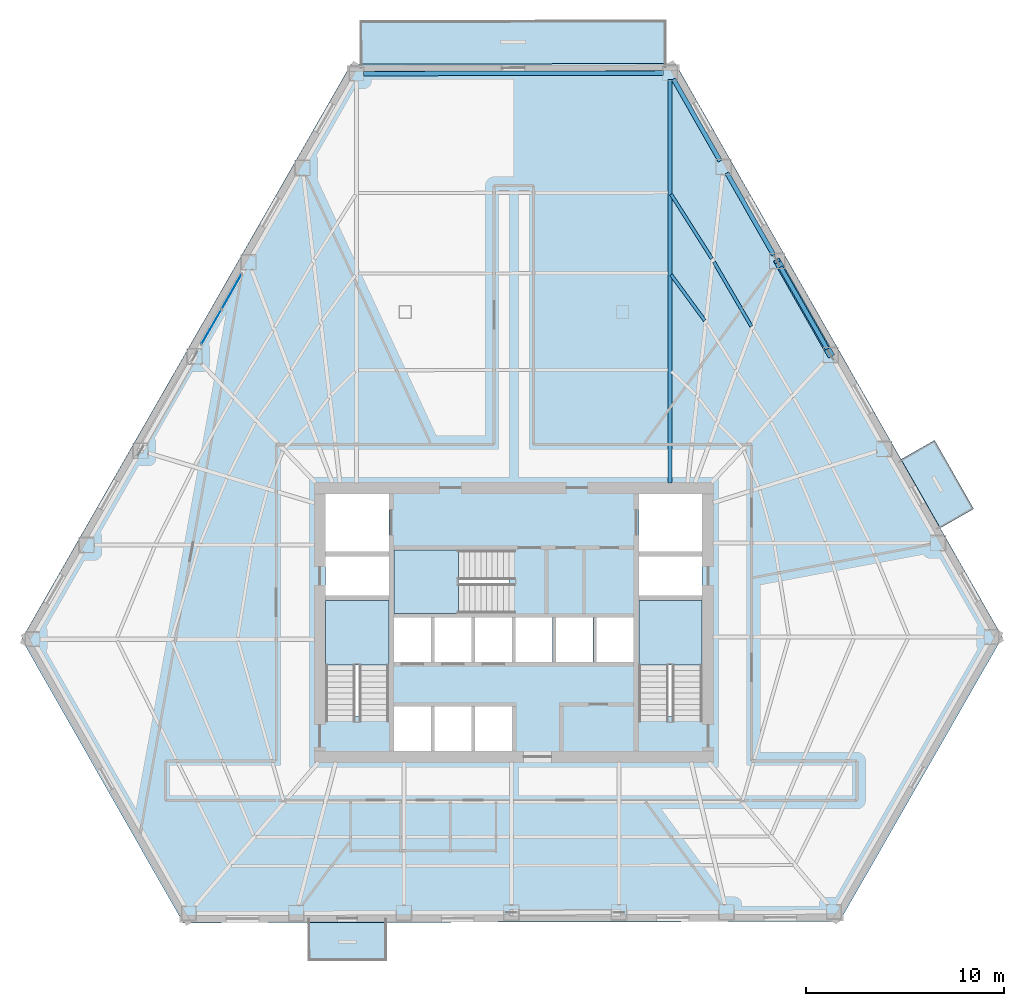
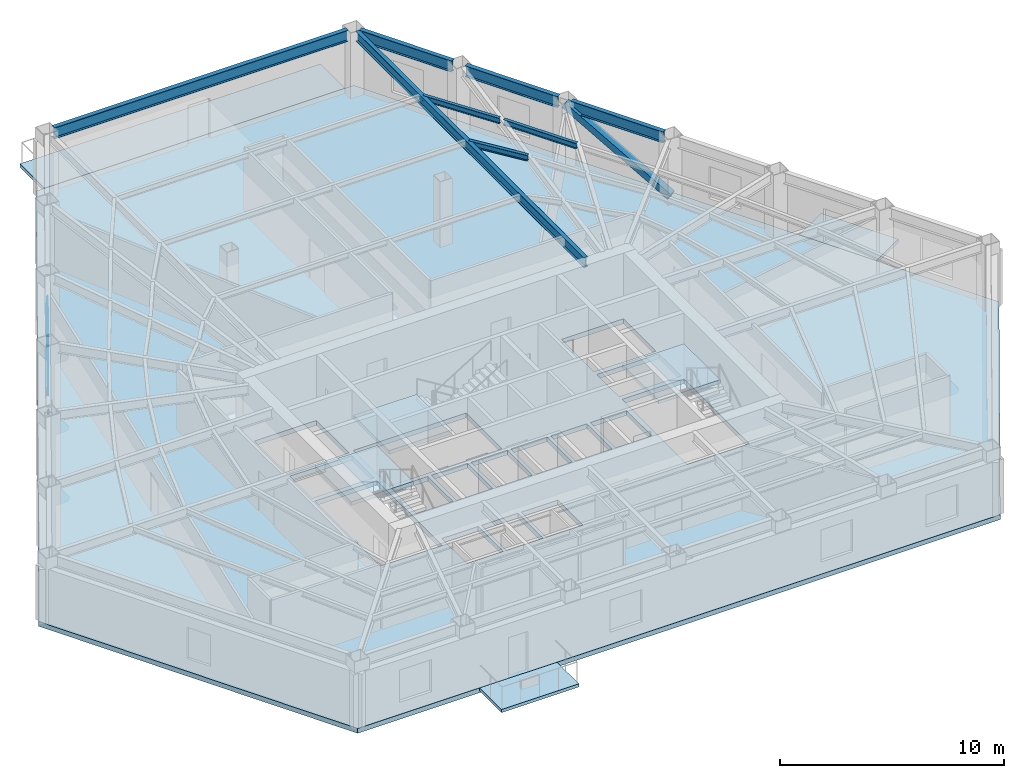
# One storey, part 5 of 14: 8 beams, 7 slabs, 2 plates, 1 member, 4 elements without a shape of their own.
"""IFC4 building model written with IfcOpenShell, lengths in metres."""

import ifcopenshell
import ifcopenshell.guid

model = None  # the IFC model being written
_history = None  # IfcOwnerHistory: only IFC2X3 demands one
_inside = {}  # id of a spatial element -> (the spatial element, [elements in it])
_under = {}  # id of a project, library or spatial element -> (it, [spatial elements below it])
_declared = {}  # id of a project -> (the project, [libraries it declares])
_typed = {}  # id of a type object -> (the type object, [elements of that type])
_made_of = {}  # id of a material, layer set ... -> (it, [elements and type objects made of it])


def new_model(schema):
    """Start an empty IFC model of exactly this schema.

    Asked for "IFC4X3", IfcOpenShell would pick the latest addendum, in which some entities
    have other attributes; the version numbers below select the first issue.
    IFC2X3 requires an IfcOwnerHistory on every rooted entity: one is made here for all.
    """
    global model, _history
    if schema == "IFC4X3":
        model = ifcopenshell.file(schema_version=(4, 3, 0, 0))
    else:
        model = ifcopenshell.file(schema=schema)
    _inside.clear()
    _under.clear()
    _declared.clear()
    _typed.clear()
    _made_of.clear()
    _history = None
    if model.schema == "IFC2X3":
        org = make("IfcOrganization", Name="unknown")
        user = make(
            "IfcPersonAndOrganization",
            ThePerson=make("IfcPerson", FamilyName="unknown"),
            TheOrganization=org,
        )
        app = make(
            "IfcApplication",
            ApplicationDeveloper=org,
            Version="unknown",
            ApplicationFullName="unknown",
            ApplicationIdentifier="unknown",
        )
        _history = make(
            "IfcOwnerHistory",
            OwningUser=user,
            OwningApplication=app,
            ChangeAction="ADDED",
            CreationDate=0,
        )
    return model


def make(cls, **values):
    """One entity of the class cls with the attributes given. An attribute that is None is left unset."""
    return model.create_entity(
        cls, **{name: value for name, value in values.items() if value is not None}
    )


def rooted(cls, **values):
    """An entity with a GlobalId (a new one), such as an element, a storey or a relation."""
    return make(cls, GlobalId=ifcopenshell.guid.new(), OwnerHistory=_history, **values)


def si_unit(unit_type, name, prefix=None):
    """IfcSIUnit, for example si_unit("LENGTHUNIT", "METRE", prefix="MILLI")."""
    return make("IfcSIUnit", UnitType=unit_type, Prefix=prefix, Name=name)


def assignment(units):
    """IfcUnitAssignment: the units of a project."""
    return None if units is None else make("IfcUnitAssignment", Units=units)


def point(xyz):
    """IfcCartesianPoint."""
    return None if xyz is None else make("IfcCartesianPoint", Coordinates=xyz)


def direction(xyz):
    """IfcDirection."""
    return None if xyz is None else make("IfcDirection", DirectionRatios=xyz)


def frame(location, z_axis=None, x_axis=None):
    """IfcAxis2Placement3D, a coordinate frame: its origin and axes. An axis left out is left unset."""
    return make(
        "IfcAxis2Placement3D",
        Location=point(location),
        Axis=direction(z_axis),
        RefDirection=direction(x_axis),
    )


def frame_2d(location, x_axis=None):
    """IfcAxis2Placement2D, a coordinate frame in the plane: its origin and x axis."""
    return make(
        "IfcAxis2Placement2D", Location=point(location), RefDirection=direction(x_axis)
    )


def origin():
    """The frame at (0, 0, 0) with its axes left unset."""
    return frame((0.0, 0.0, 0.0))


def origin_2d():
    """The frame at (0, 0) in the plane with its x axis left unset."""
    return frame_2d((0.0, 0.0))


def place(relative_to, where):
    """IfcLocalPlacement: puts the frame where relative to a parent placement (None: the world)."""
    return make(
        "IfcLocalPlacement", PlacementRelTo=relative_to, RelativePlacement=where
    )


def context(
    kind, dimensions, precision=None, world=None, true_north=None, identifier=None
):
    """IfcGeometricRepresentationContext, for example the 3D "Model" context."""
    return make(
        "IfcGeometricRepresentationContext",
        ContextIdentifier=identifier,
        ContextType=kind,
        CoordinateSpaceDimension=dimensions,
        Precision=precision,
        WorldCoordinateSystem=world,
        TrueNorth=true_north,
    )


def subcontext(parent, identifier, kind, view, scale=None):
    """IfcGeometricRepresentationSubContext, for example "Body" below "Model"."""
    return make(
        "IfcGeometricRepresentationSubContext",
        ContextIdentifier=identifier,
        ContextType=kind,
        ParentContext=parent,
        TargetScale=scale,
        TargetView=view,
    )


def project(units=None, contexts=None):
    """IfcProject with its units and contexts."""
    return rooted(
        "IfcProject",
        Name="project",
        RepresentationContexts=contexts,
        UnitsInContext=assignment(units),
    )


def spatial(cls, under=None, at=None, **own):
    """A site, building, storey or space (cls), placed at a placement, below another one or the project."""
    s = rooted(cls, ObjectPlacement=at, **own)
    if under is not None:
        _under.setdefault(under.id(), (under, []))[1].append(s)
    return s


def polyline(points):
    """IfcPolyline through the points."""
    return make("IfcPolyline", Points=[point(p) for p in points])


def profile(cls, at=None, kind="AREA", **sizes):
    """A parametric profile (cls). Its sizes go by their IFC names, for example OverallWidth=200.0."""
    return make(cls, ProfileType=kind, Position=at, **sizes)


def rectangle(**sizes):
    """IfcRectangleProfileDef."""
    return profile("IfcRectangleProfileDef", **sizes)


def hollow_rectangle(**sizes):
    """IfcRectangleHollowProfileDef."""
    return profile("IfcRectangleHollowProfileDef", **sizes)


def i_section(**sizes):
    """IfcIShapeProfileDef."""
    return profile("IfcIShapeProfileDef", **sizes)


def outline(outer, holes=None, kind="AREA"):
    """IfcArbitraryClosedProfileDef: a profile drawn as a closed curve; with holes, ...WithVoids."""
    if holes is None:
        return make("IfcArbitraryClosedProfileDef", ProfileType=kind, OuterCurve=outer)
    return make(
        "IfcArbitraryProfileDefWithVoids",
        ProfileType=kind,
        OuterCurve=outer,
        InnerCurves=holes,
    )


def extrude(swept, where, along, depth):
    """IfcExtrudedAreaSolid: the profile swept, set in the frame where, extruded along a direction by depth."""
    return make(
        "IfcExtrudedAreaSolid",
        SweptArea=swept,
        Position=where,
        ExtrudedDirection=direction(along),
        Depth=depth,
    )


def shape(context_of_items, identifier, shape_type, items):
    """IfcShapeRepresentation: the items that make up one representation, for example the "Body"."""
    return make(
        "IfcShapeRepresentation",
        ContextOfItems=context_of_items,
        RepresentationIdentifier=identifier,
        RepresentationType=shape_type,
        Items=items,
    )


def material(Name=None, Category=None):
    """IfcMaterial."""
    return make("IfcMaterial", Name=Name, Category=Category)


def layer(
    of_material, thickness, ventilated=None, Name=None, Category=None, Priority=None
):
    """IfcMaterialLayer: one layer of a wall or slab, of a material (None: an air gap)."""
    return make(
        "IfcMaterialLayer",
        Material=of_material,
        LayerThickness=thickness,
        IsVentilated=ventilated,
        Name=Name,
        Category=Category,
        Priority=Priority,
    )


def layer_set(layers, Name=None):
    """IfcMaterialLayerSet."""
    return make("IfcMaterialLayerSet", MaterialLayers=layers, LayerSetName=Name)


def material_profile(
    of_material, cross_section, Name=None, Category=None, Priority=None
):
    """IfcMaterialProfile: a cross section and its material."""
    return make(
        "IfcMaterialProfile",
        Name=Name,
        Material=of_material,
        Profile=cross_section,
        Priority=Priority,
        Category=Category,
    )


def profile_set(profiles, Name=None, composite=None):
    """IfcMaterialProfileSet."""
    return make(
        "IfcMaterialProfileSet",
        Name=Name,
        MaterialProfiles=profiles,
        CompositeProfile=composite,
    )


def made_of(thing, what):
    """Note that an element or type object is made of a material, layer set ...; save() writes the relation."""
    if what is not None:
        _made_of.setdefault(what.id(), (what, []))[1].append(thing)
    return thing


def type_object(cls, material=None, **own):
    """A type object (cls), such as IfcWallType, which elements share."""
    return made_of(rooted(cls, **own), material)


def element(
    cls,
    number,
    at=None,
    inside=None,
    cuts=None,
    type_object=None,
    material=None,
    context=None,
    identifier="Body",
    shape_type=None,
    held_by="IfcProductDefinitionShape",
    body=None,
    shapes=None,
    **own,
):
    """One element of the class cls, such as IfcWall. Its Tag is "e" and its number.

    at: its placement. inside: the storey or other place that contains it. cuts: it is an
    opening in that element (IfcRelVoidsElement). A single representation is given by context,
    identifier, shape_type and body (its items); several are given by shapes. held_by: the class
    of the entity that holds the representations. save() writes the other relations.
    """
    e = rooted(cls, Tag="e%d" % number, ObjectPlacement=at, **own)
    if body is not None:
        shapes = [shape(context, identifier, shape_type, body)]
    if shapes is not None:
        e.Representation = make(held_by, Representations=shapes)
    if inside is not None:
        _inside.setdefault(inside.id(), (inside, []))[1].append(e)
    if cuts is not None:
        rooted(
            "IfcRelVoidsElement", RelatingBuildingElement=cuts, RelatedOpeningElement=e
        )
    if type_object is not None:
        _typed.setdefault(type_object.id(), (type_object, []))[1].append(e)
    return made_of(e, material)


def aggregate(whole, parts):
    """IfcRelAggregates: a whole, such as a stair, and the parts it consists of."""
    return rooted("IfcRelAggregates", RelatingObject=whole, RelatedObjects=parts)


def save(model, path):
    """Write the relations noted so far, then the file.

    IfcRelAggregates (storeys below a building ...), IfcRelContainedInSpatialStructure (elements
    in a storey), IfcRelDefinesByType, IfcRelAssociatesMaterial and IfcRelDeclares: one each for
    every whole, place, type object, material and project.
    """
    for whole, parts in _under.values():
        aggregate(whole, parts)
    for where, things in _inside.values():
        rooted(
            "IfcRelContainedInSpatialStructure",
            RelatedElements=things,
            RelatingStructure=where,
        )
    for kind, things in _typed.values():
        rooted("IfcRelDefinesByType", RelatedObjects=things, RelatingType=kind)
    for what, things in _made_of.values():
        rooted("IfcRelAssociatesMaterial", RelatedObjects=things, RelatingMaterial=what)
    for by, libraries in _declared.values():
        rooted("IfcRelDeclares", RelatingContext=by, RelatedDefinitions=libraries)
    model.write(path)


model = new_model("IFC4")

# Units and contexts
model_context = context("Model", 3, precision=1e-05, world=origin(), true_north=direction((0.0, 1.0)))
body_context = subcontext(model_context, "Body", "Model", "MODEL_VIEW")
ifc_project = project(units=[si_unit("LENGTHUNIT", "METRE"), si_unit("AREAUNIT", "SQUARE_METRE"), si_unit("VOLUMEUNIT", "CUBIC_METRE"), si_unit("PLANEANGLEUNIT", "RADIAN"), si_unit("MASSUNIT", "GRAM", prefix="KILO")], contexts=[model_context])

# Site, building, storey
site_placement = place(None, origin())
site = spatial("IfcSite", under=ifc_project, at=site_placement, CompositionType="ELEMENT")
building_placement = place(site_placement, origin())
building = spatial("IfcBuilding", under=site, at=building_placement, Name="Kavelnor Concourse Tower", CompositionType="ELEMENT")
storey_placement = place(building_placement, frame((0.0, 0.0, 17.550048828125)))
storey = spatial("IfcBuildingStorey", under=building, at=storey_placement, Name="L04", CompositionType="ELEMENT", Elevation=17.550048828125)

# Beams
ifc_material_1 = material(Name="Steel Grade 350", Category="steel")
ifc_material_profile_1 = material_profile(ifc_material_1, i_section(OverallWidth=0.166015625, OverallDepth=0.306884765625, WebThickness=0.006591796875, FlangeThickness=0.01171875, at=origin_2d()), Name="310UB46")
ifc_profile_set_1 = profile_set([ifc_material_profile_1], Name="Steel Grade 350")
beam_type_1 = type_object("IfcBeamType", Name="BM-JOIST-310", PredefinedType="JOIST", material=ifc_profile_set_1)
beam_1_placement = place(storey_placement, frame((50.01220703125, 31.077392578125, 3.4365234375), z_axis=(-0.502959633328, 0.864309902316, 0.0), x_axis=(-0.864309902316, -0.502959633328, 0.0)))
element("IfcBeam", 1, at=beam_1_placement, inside=storey, type_object=beam_type_1, Name="L04 Secondary Composite Joist 13-3", PredefinedType="JOIST", context=body_context, shape_type="SweptSolid", body=[
    extrude(i_section(OverallWidth=0.166015625, OverallDepth=0.306884765625, WebThickness=0.006591796875, FlangeThickness=0.01171875, at=origin_2d()), origin(), (0.0, 0.0, 1.0), 3.765380859375),
])
beam_2_placement = place(storey_placement, frame((47.654296875, 31.369384765625, 3.4365234375), z_axis=(-0.591997539562, 0.805939770177, 0.0), x_axis=(-0.805939770177, -0.591997539562, 0.0)))
element("IfcBeam", 2, at=beam_2_placement, inside=storey, type_object=beam_type_1, Name="L04 Secondary Composite Joist 14-2", PredefinedType="JOIST", context=body_context, shape_type="SweptSolid", body=[
    extrude(i_section(OverallWidth=0.166015625, OverallDepth=0.306884765625, WebThickness=0.006591796875, FlangeThickness=0.01171875, at=origin_2d()), origin(), (0.0, 0.0, 1.0), 2.87109375),
])
beam_3_placement = place(storey_placement, frame((48.01611328125, 34.500244140625, 3.4365234375), z_axis=(-0.535777587726, 0.844359151363, 0.0), x_axis=(-0.844359151363, -0.535777587726, 0.0)))
element("IfcBeam", 3, at=beam_3_placement, inside=storey, type_object=beam_type_1, Name="L04 Secondary Composite Joist 14-3", PredefinedType="JOIST", context=body_context, shape_type="SweptSolid", body=[
    extrude(i_section(OverallWidth=0.166015625, OverallDepth=0.306884765625, WebThickness=0.006591796875, FlangeThickness=0.01171875, at=origin_2d()), origin(), (0.0, 0.0, 1.0), 3.857666015625),
])
ifc_material_profile_2 = material_profile(ifc_material_1, i_section(OverallWidth=0.208984375, OverallDepth=0.528076171875, WebThickness=0.009521484375, FlangeThickness=0.01318359375, at=origin_2d()), Name="530UB82")
ifc_profile_set_2 = profile_set([ifc_material_profile_2], Name="Steel Grade 350")
beam_type_2 = type_object("IfcBeamType", Name="BM-PRIMARY-530", PredefinedType="BEAM", material=ifc_profile_set_2)
beam_4_placement = place(storey_placement, frame((45.896484375, 23.159912109375, 3.325927734375), z_axis=(0.0, 1.0, 0.0), x_axis=(-1.0, 0.0, 0.0)))
element("IfcBeam", 4, at=beam_4_placement, inside=storey, type_object=beam_type_2, Name="L04 Primary Floor Girder F2-B6", PredefinedType="BEAM", context=body_context, shape_type="SweptSolid", body=[
    extrude(i_section(OverallWidth=0.208984375, OverallDepth=0.528076171875, WebThickness=0.009521484375, FlangeThickness=0.01318359375, at=origin_2d()), origin(), (0.0, 0.0, 1.0), 20.389892578125),
])
ifc_material_profile_3 = material_profile(ifc_material_1, i_section(OverallWidth=0.22900390625, OverallDepth=0.612060546875, WebThickness=0.011962890625, FlangeThickness=0.01953125, at=origin_2d()), Name="610UB125")
ifc_profile_set_3 = profile_set([ifc_material_profile_3], Name="Steel Grade 350")
beam_type_3 = type_object("IfcBeamType", Name="BM-SPANDREL-Z1", PredefinedType="SPANDREL", material=ifc_profile_set_3)
beam_5_placement = place(storey_placement, frame((45.551513671875, 43.88916015625, 3.283935546875), z_axis=(-0.999997638201, -0.002173382937, 0.0), x_axis=(0.002173382937, -0.999997638201, 0.0)))
element("IfcBeam", 5, at=beam_5_placement, inside=storey, type_object=beam_type_3, Name="L04 Chamfer Facet Spandrel Beam C0", PredefinedType="SPANDREL", context=body_context, shape_type="SweptSolid", body=[
    extrude(i_section(OverallWidth=0.22900390625, OverallDepth=0.612060546875, WebThickness=0.011962890625, FlangeThickness=0.01953125, at=origin_2d()), origin(), (0.0, 0.0, 1.0), 15.164794921875),
])
for number, where, z_axis, x_axis, name in (
    (6, (53.85546875, 29.92431640625, 3.283935546875), (-0.495143715855, 0.868811084557, 0.0), (-0.868811084557, -0.495143715855, 0.0), "L04 Perimeter Tube Spandrel Beam F2-B3"),
    (7, (51.1455078125, 34.679443359375, 3.283935546875), (-0.495143715855, 0.868811084557, 0.0), (-0.868811084557, -0.495143715855, 0.0), "L04 Perimeter Tube Spandrel Beam F2-B4"),
):
    element("IfcBeam", number, at=place(storey_placement, frame(where, z_axis=z_axis, x_axis=x_axis)), inside=storey, type_object=beam_type_3, Name=name, PredefinedType="SPANDREL", context=body_context, shape_type="SweptSolid", body=[
        extrude(i_section(OverallWidth=0.22900390625, OverallDepth=0.612060546875, WebThickness=0.011962890625, FlangeThickness=0.01953125, at=origin_2d()), origin(), (0.0, 0.0, 1.0), 4.783203125),
    ])
beam_6_placement = place(storey_placement, frame((48.435546875, 39.4345703125, 3.283935546875), z_axis=(-0.495165673589, 0.868798570267, 0.0), x_axis=(-0.868798570267, -0.495165673589, 0.0)))
element("IfcBeam", 8, at=beam_6_placement, inside=storey, type_object=beam_type_3, Name="L04 Perimeter Tube Spandrel Beam F2-B5", PredefinedType="SPANDREL", context=body_context, shape_type="SweptSolid", body=[
    extrude(i_section(OverallWidth=0.22900390625, OverallDepth=0.612060546875, WebThickness=0.011962890625, FlangeThickness=0.01953125, at=origin_2d()), origin(), (0.0, 0.0, 1.0), 4.782958984375),
])

# Member
ifc_material_profile_4 = material_profile(ifc_material_1, hollow_rectangle(XDim=0.35009765625, YDim=0.35009765625, WallThickness=0.02001953125, at=origin_2d()), Name="SHS 350x350x20")
ifc_profile_set_4 = profile_set([ifc_material_profile_4], Name="Steel Grade 350")
member_type = type_object("IfcMemberType", Name="MBR-TUBE-DIAG-Z1", PredefinedType="BRACE", material=ifc_profile_set_4)
member_placement = place(storey_placement, frame((54.026123046875, 29.624755859375, 0.219970703125), z_axis=(-0.432013644484, 0.758116024292, 0.48849186758), x_axis=(-0.868832727788, -0.495105737317, 0.0)))
element("IfcMember", 9, at=member_placement, inside=storey, type_object=member_type, Name="L04 Framed-Tube Bracing Diagonal F2-B3", PredefinedType="BRACE", context=body_context, shape_type="SweptSolid", body=[
    extrude(hollow_rectangle(XDim=0.35009765625, YDim=0.35009765625, WallThickness=0.02001953125, at=origin_2d()), origin(), (0.0, 0.0, 1.0), 6.272216796875),
])

# Curtain wall, plates
ifc_material_2 = material(Name="Anodised aluminium 6063-T6", Category="aluminium")
ifc_layer_1 = layer(ifc_material_2, 0.139892578125, Name="Anodised aluminium 6063-T6")
ifc_layer_set_1 = layer_set([ifc_layer_1], Name="Anodised aluminium 6063-T6")
curtain_wall_type = type_object("IfcCurtainWallType", Name="CW-TERRACE-PAVILION", PredefinedType="NOTDEFINED", material=ifc_layer_set_1)
curtain_wall_placement = place(storey_placement, origin())
curtain_wall = element("IfcCurtainWall", 10, at=curtain_wall_placement, inside=storey, type_object=curtain_wall_type, Name="L04 Terrace Pavilion Curtain Wall", PredefinedType="NOTDEFINED")
ifc_material_3 = material(Name="Double low-E argon insulated glazing", Category="glass")
ifc_layer_2 = layer(ifc_material_3, 0.02392578125, Name="Double low-E argon insulated glazing")
ifc_layer_set_2 = layer_set([ifc_layer_2], Name="Double low-E argon insulated glazing")
plate_type = type_object("IfcPlateType", Name="CW-TERRACE-PAVILION-PANEL", PredefinedType="CURTAIN_PANEL", material=ifc_layer_set_2)
plate_1_placement = place(storey_placement, frame((23.723388671875, 32.82470703125, 0.06005859375), z_axis=(0.0, 0.0, 1.0), x_axis=(-0.496973961028, -0.867765453369, 0.0)))
plate_1 = element("IfcPlate", 11, at=plate_1_placement, type_object=plate_type, Name="L04 Terrace Pavilion Curtain Wall Vision Panel 1", PredefinedType="CURTAIN_PANEL", context=body_context, shape_type="SweptSolid", body=[
    extrude(rectangle(XDim=1.998046875, YDim=0.02392578125, at=origin_2d()), origin(), (0.0, 0.0, 1.0), 2.6298828125),
])
plate_2_placement = place(storey_placement, frame((22.7060546875, 31.048583984375, 0.06005859375), z_axis=(0.0, 0.0, 1.0), x_axis=(-0.496973961028, -0.867765453369, 0.0)))
plate_2 = element("IfcPlate", 12, at=plate_2_placement, type_object=plate_type, Name="L04 Terrace Pavilion Curtain Wall Vision Panel 2", PredefinedType="CURTAIN_PANEL", context=body_context, shape_type="SweptSolid", body=[
    extrude(rectangle(XDim=1.998046875, YDim=0.02392578125, at=origin_2d()), origin(), (0.0, 0.0, 1.0), 2.6298828125),
])
aggregate(curtain_wall, [plate_1, plate_2])

# Slabs
ifc_material_4 = material(Name="Concrete C40/50", Category="concrete")
ifc_layer_3 = layer(ifc_material_4, 0.169921875, Name="Concrete C40/50")
ifc_layer_set_3 = layer_set([ifc_layer_3], Name="Concrete C40/50")
slab_type_1 = type_object("IfcSlabType", Name="SLB-BALCONY-170", PredefinedType="FLOOR", material=ifc_layer_set_3)
slab_1_placement = place(storey_placement, frame((0.0, 0.0, -0.170166015625)))
element("IfcSlab", 13, at=slab_1_placement, inside=storey, type_object=slab_type_1, Name="L04 Cantilevered Tree Balcony Slab 1", PredefinedType="FLOOR", context=body_context, shape_type="SweptSolid", body=[
    extrude(outline(polyline([(31.581787109375, -1.02099609375), (27.581787109375, -1.02978515625), (27.577392578125, 0.92041015625), (31.577392578125, 0.928955078125), (31.581787109375, -1.02099609375)])), origin(), (0.0, 0.0, 1.0), 0.170166015625),
])
slab_2_placement = place(storey_placement, frame((0.0, 0.0, -0.170166015625)))
element("IfcSlab", 14, at=slab_2_placement, inside=storey, type_object=slab_type_1, Name="L04 Cantilevered Tree Balcony Slab 2", PredefinedType="FLOOR", context=body_context, shape_type="SweptSolid", body=[
    extrude(outline(polyline([(59.279296875, 25.31494140625), (61.259765625, 21.83984375), (59.565673828125, 20.874267578125), (57.585205078125, 24.349609375), (59.279296875, 25.31494140625)])), origin(), (0.0, 0.0, 1.0), 0.170166015625),
])

# Stair, slab
stair_type = type_object("IfcStairType", Name="STR-CORE-1500", PredefinedType="HALF_TURN_STAIR", material=ifc_material_4)
stair_1_placement = place(storey_placement, origin())
stair_1 = element("IfcStair", 15, at=stair_1_placement, inside=storey, type_object=stair_type, Name="L04 ST1", PredefinedType="HALF_TURN_STAIR")
ifc_layer_4 = layer(ifc_material_4, 0.199951171875, Name="Concrete C40/50")
ifc_layer_set_4 = layer_set([ifc_layer_4], Name="Concrete C40/50")
slab_type_2 = type_object("IfcSlabType", Name="SLB-LANDING-200", PredefinedType="LANDING", material=ifc_layer_set_4)
slab_3_placement = place(storey_placement, frame((0.0, 0.0, 1.724853515625)))
slab_3 = element("IfcSlab", 16, at=slab_3_placement, type_object=slab_type_2, Name="ST1 landing 1", PredefinedType="LANDING", context=body_context, shape_type="SweptSolid", body=[
    extrude(outline(polyline([(31.679931640625, 13.949951171875), (31.679931640625, 17.199951171875), (28.47998046875, 17.199951171875), (28.47998046875, 13.949951171875), (31.679931640625, 13.949951171875)])), origin(), (0.0, 0.0, 1.0), 0.2001953125),
])
aggregate(stair_1, [slab_3])

stair_2_placement = place(storey_placement, origin())
stair_2 = element("IfcStair", 17, at=stair_2_placement, inside=storey, type_object=stair_type, Name="L04 ST2", PredefinedType="HALF_TURN_STAIR")
slab_4_placement = place(storey_placement, frame((0.0, 0.0, 1.724853515625)))
slab_4 = element("IfcSlab", 18, at=slab_4_placement, type_object=slab_type_2, Name="ST2 landing 1", PredefinedType="LANDING", context=body_context, shape_type="SweptSolid", body=[
    extrude(outline(polyline([(47.52001953125, 13.949951171875), (47.52001953125, 17.199951171875), (44.320068359375, 17.199951171875), (44.320068359375, 13.949951171875), (47.52001953125, 13.949951171875)])), origin(), (0.0, 0.0, 1.0), 0.2001953125),
])
aggregate(stair_2, [slab_4])

stair_3_placement = place(storey_placement, origin())
stair_3 = element("IfcStair", 19, at=stair_3_placement, inside=storey, type_object=stair_type, Name="L04 ST3", PredefinedType="HALF_TURN_STAIR")
slab_5_placement = place(storey_placement, frame((0.0, 0.0, 1.724853515625)))
slab_5 = element("IfcSlab", 20, at=slab_5_placement, type_object=slab_type_2, Name="ST3 landing 1", PredefinedType="LANDING", context=body_context, shape_type="SweptSolid", body=[
    extrude(outline(polyline([(35.18994140625, 19.760009765625), (31.93994140625, 19.760009765625), (31.93994140625, 16.56005859375), (35.18994140625, 16.56005859375), (35.18994140625, 19.760009765625)])), origin(), (0.0, 0.0, 1.0), 0.2001953125),
])
aggregate(stair_3, [slab_5])

# Slabs
ifc_layer_5 = layer(ifc_material_4, 0.260009765625, Name="Concrete C40/50")
ifc_layer_set_5 = layer_set([ifc_layer_5], Name="Concrete C40/50")
slab_type_3 = type_object("IfcSlabType", Name="SLB-OFFICE-260", PredefinedType="FLOOR", material=ifc_layer_set_5)
slab_6_placement = place(storey_placement, frame((0.0, 0.0, -0.260009765625)))
element("IfcSlab", 21, at=slab_6_placement, inside=storey, type_object=slab_type_3, Name="L04 Composite Structural Floor Slab", PredefinedType="FLOOR", context=body_context, shape_type="SweptSolid", body=[
    extrude(outline(polyline([(46.175048828125, 44.37060546875), (29.76318359375, 44.334716796875), (13.104248046875, 15.251220703125), (21.279296875, 0.906494140625), (54.471923828125, 0.978759765625), (62.708740234375, 15.35888671875), (46.175048828125, 44.37060546875)]), holes=[polyline([(28.47998046875, 11.3798828125), (31.679931640625, 11.3798828125), (31.679931640625, 17.199951171875), (28.47998046875, 17.199951171875), (28.47998046875, 11.3798828125)]), polyline([(44.320068359375, 11.3798828125), (47.52001953125, 11.3798828125), (47.52001953125, 17.199951171875), (44.320068359375, 17.199951171875), (44.320068359375, 11.3798828125)]), polyline([(31.93994140625, 16.56005859375), (37.760009765625, 16.56005859375), (37.760009765625, 19.760009765625), (31.93994140625, 19.760009765625), (31.93994140625, 16.56005859375)]), polyline([(28.47998046875, 19.699951171875), (31.679931640625, 19.699951171875), (31.679931640625, 22.60009765625), (28.47998046875, 22.60009765625), (28.47998046875, 19.699951171875)]), polyline([(44.320068359375, 19.699951171875), (47.52001953125, 19.699951171875), (47.52001953125, 22.60009765625), (44.320068359375, 22.60009765625), (44.320068359375, 19.699951171875)]), polyline([(31.93994140625, 14.10009765625), (33.81005859375, 14.10009765625), (33.81005859375, 16.340087890625), (31.93994140625, 16.340087890625), (31.93994140625, 14.10009765625)]), polyline([(33.989990234375, 14.10009765625), (35.860107421875, 14.10009765625), (35.860107421875, 16.340087890625), (33.989990234375, 16.340087890625), (33.989990234375, 14.10009765625)]), polyline([(36.0400390625, 14.10009765625), (37.909912109375, 14.10009765625), (37.909912109375, 16.340087890625), (36.0400390625, 16.340087890625), (36.0400390625, 14.10009765625)]), polyline([(38.090087890625, 14.10009765625), (39.9599609375, 14.10009765625), (39.9599609375, 16.340087890625), (38.090087890625, 16.340087890625), (38.090087890625, 14.10009765625)]), polyline([(40.139892578125, 14.10009765625), (42.010009765625, 14.10009765625), (42.010009765625, 16.340087890625), (40.139892578125, 16.340087890625), (40.139892578125, 14.10009765625)]), polyline([(42.18994140625, 14.10009765625), (44.06005859375, 14.10009765625), (44.06005859375, 16.340087890625), (42.18994140625, 16.340087890625), (42.18994140625, 14.10009765625)]), polyline([(31.93994140625, 9.60009765625), (33.81005859375, 9.60009765625), (33.81005859375, 11.840087890625), (31.93994140625, 11.840087890625), (31.93994140625, 9.60009765625)]), polyline([(33.989990234375, 9.60009765625), (35.860107421875, 9.60009765625), (35.860107421875, 11.840087890625), (33.989990234375, 11.840087890625), (33.989990234375, 9.60009765625)]), polyline([(36.0400390625, 9.60009765625), (37.909912109375, 9.60009765625), (37.909912109375, 11.840087890625), (36.0400390625, 11.840087890625), (36.0400390625, 9.60009765625)]), polyline([(28.47998046875, 17.4599609375), (31.679931640625, 17.4599609375), (31.679931640625, 19.43994140625), (28.47998046875, 19.43994140625), (28.47998046875, 17.4599609375)]), polyline([(44.320068359375, 17.4599609375), (47.52001953125, 17.4599609375), (47.52001953125, 19.43994140625), (44.320068359375, 19.43994140625), (44.320068359375, 17.4599609375)])]), origin(), (0.0, 0.0, 1.0), 0.260009765625),
])
ifc_layer_6 = layer(ifc_material_4, 0.18994140625, Name="Concrete C40/50")
ifc_layer_set_6 = layer_set([ifc_layer_6], Name="Concrete C40/50")
slab_type_4 = type_object("IfcSlabType", Name="SLB-TERRACE-190", PredefinedType="FLOOR", material=ifc_layer_set_6)
slab_7_placement = place(storey_placement, frame((0.0, 0.0, -0.18994140625)))
element("IfcSlab", 22, at=slab_7_placement, inside=storey, type_object=slab_type_4, Name="L04 Spiralling Sky Terrace Slab", PredefinedType="FLOOR", context=body_context, shape_type="SweptSolid", body=[
    extrude(outline(polyline([(30.20849609375, 46.535888671875), (45.72021484375, 46.569580078125), (45.72509765625, 44.369384765625), (30.213134765625, 44.335693359375), (30.20849609375, 46.535888671875)])), origin(), (0.0, 0.0, 1.0), 0.18994140625),
])

save(model, "model.ifc")
